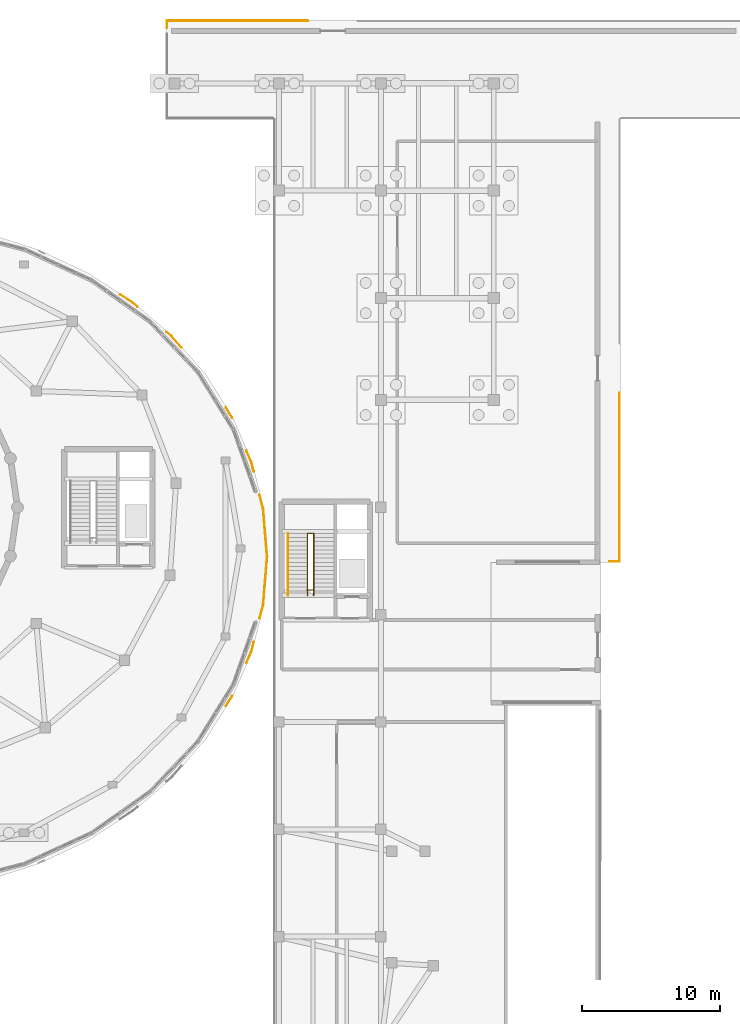
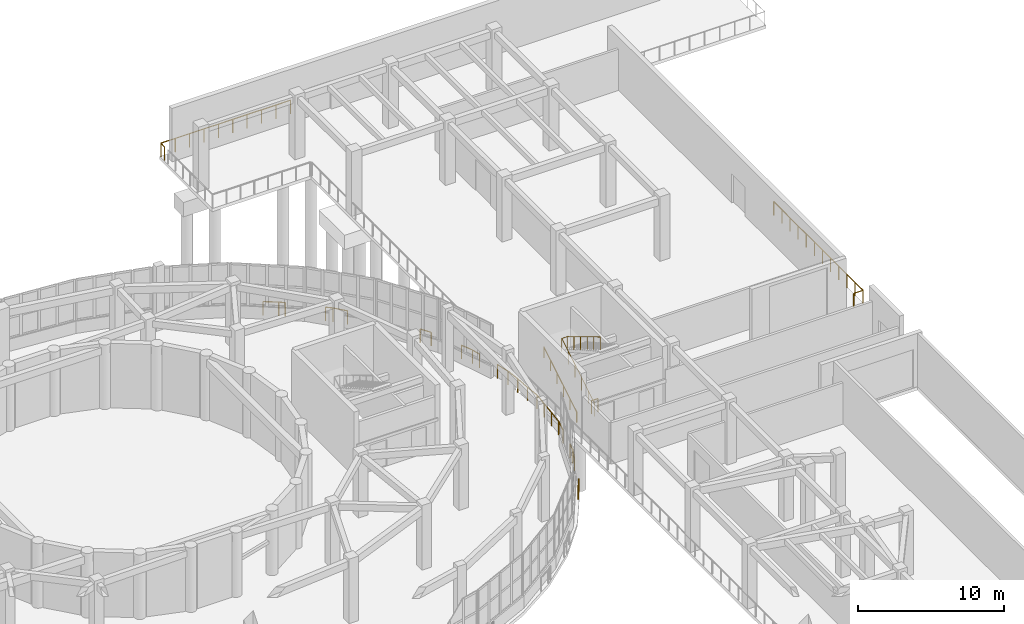
# One storey, part 94 of 96: 12 railings.
"""IFC4 building model written with IfcOpenShell, lengths in metres."""

from ifc_helpers import new_model, si_unit, direction, frame, origin, origin_2d, place, context, subcontext, project, spatial, circle, extrude, material, type_object, element, save


model = new_model("IFC4")

# Units and contexts
model_context = context("Model", 3, precision=1e-05, world=origin(), true_north=direction((0.0, 1.0)))
body_context = subcontext(model_context, "Body", "Model", "MODEL_VIEW")
ifc_project = project(units=[si_unit("LENGTHUNIT", "METRE"), si_unit("AREAUNIT", "SQUARE_METRE"), si_unit("VOLUMEUNIT", "CUBIC_METRE"), si_unit("PLANEANGLEUNIT", "RADIAN"), si_unit("MASSUNIT", "GRAM", prefix="KILO")], contexts=[model_context])

# Site, building, storey
site_placement = place(None, origin())
site = spatial("IfcSite", under=ifc_project, at=site_placement, CompositionType="ELEMENT")
building_placement = place(site_placement, origin())
building = spatial("IfcBuilding", under=site, at=building_placement, Name="Pelvatis Terrace Science Centre", CompositionType="ELEMENT")
storey_placement = place(building_placement, origin())
storey = spatial("IfcBuildingStorey", under=building, at=storey_placement, Name="L00", CompositionType="ELEMENT", Elevation=0.0)

# Railings
ifc_material_1 = material(Name="Bronze-anodised aluminium and laminated safety glass balustrade", Category="aluminium")
railing_type_1 = type_object("IfcRailingType", Name="RLG-BAL-1150", PredefinedType="BALUSTRADE", material=ifc_material_1)
railing_1_placement = place(storey_placement, frame((132.659912109375, 120.62890625, 0.0)))
element("IfcRailing", 1, at=railing_1_placement, inside=storey, type_object=railing_type_1, Name="Perimeter edge balustrade RLG-EDG-L00-004", PredefinedType="BALUSTRADE", context=body_context, shape_type="SweptSolid", body=[
    extrude(circle(Radius=0.02392578125, at=origin_2d()), frame((0.0, 0.0, 1.1259765625), z_axis=(0.0, 1.0, 0.0), x_axis=(-1.0, 0.0, 0.0)), (0.0, 0.0, 1.0), 0.510986328125),
    extrude(circle(Radius=0.02392578125, at=origin_2d()), frame((0.0, 0.510986328125, 1.1259765625), z_axis=(1.0, 0.0, 0.0), x_axis=(0.0, 1.0, 0.0)), (0.0, 0.0, 1.0), 10.239990234375),
    extrude(circle(Radius=0.02099609375, at=origin_2d()), origin(), (0.0, 0.0, 1.0), 1.101806640625),
    extrude(circle(Radius=0.02099609375, at=origin_2d()), frame((0.0, 0.510986328125, 0.0)), (0.0, 0.0, 1.0), 1.101806640625),
    extrude(circle(Radius=0.02099609375, at=origin_2d()), frame((1.1376953125, 0.510986328125, 0.0)), (0.0, 0.0, 1.0), 1.101806640625),
    extrude(circle(Radius=0.02099609375, at=origin_2d()), frame((2.275634765625, 0.510986328125, 0.0)), (0.0, 0.0, 1.0), 1.101806640625),
    extrude(circle(Radius=0.02099609375, at=origin_2d()), frame((3.413330078125, 0.510986328125, 0.0)), (0.0, 0.0, 1.0), 1.101806640625),
    extrude(circle(Radius=0.02099609375, at=origin_2d()), frame((4.551025390625, 0.510986328125, 0.0)), (0.0, 0.0, 1.0), 1.101806640625),
    extrude(circle(Radius=0.02099609375, at=origin_2d()), frame((5.68896484375, 0.510986328125, 0.0)), (0.0, 0.0, 1.0), 1.101806640625),
    extrude(circle(Radius=0.02099609375, at=origin_2d()), frame((6.82666015625, 0.510986328125, 0.0)), (0.0, 0.0, 1.0), 1.101806640625),
    extrude(circle(Radius=0.02099609375, at=origin_2d()), frame((7.96435546875, 0.510986328125, 0.0)), (0.0, 0.0, 1.0), 1.101806640625),
    extrude(circle(Radius=0.02099609375, at=origin_2d()), frame((9.102294921875, 0.510986328125, 0.0)), (0.0, 0.0, 1.0), 1.101806640625),
    extrude(circle(Radius=0.02099609375, at=origin_2d()), frame((10.239990234375, 0.510986328125, 0.0)), (0.0, 0.0, 1.0), 1.101806640625),
])
railing_2_placement = place(storey_placement, frame((165.5400390625, 94.10009765625, 0.0)))
element("IfcRailing", 2, at=railing_2_placement, inside=storey, type_object=railing_type_1, Name="Perimeter edge balustrade RLG-EDG-L00-006", PredefinedType="BALUSTRADE", context=body_context, shape_type="SweptSolid", body=[
    extrude(circle(Radius=0.02392578125, at=origin_2d()), frame((0.0, 0.0, 1.1259765625), z_axis=(0.0, -1.0, 0.0), x_axis=(1.0, 0.0, 0.0)), (0.0, 0.0, 1.0), 12.239990234375),
    extrude(circle(Radius=0.02392578125, at=origin_2d()), frame((0.0, -12.239990234375, 1.1259765625), z_axis=(-1.0, 0.0, 0.0), x_axis=(0.0, -1.0, 0.0)), (0.0, 0.0, 1.0), 0.739990234375),
    extrude(circle(Radius=0.02099609375, at=origin_2d()), origin(), (0.0, 0.0, 1.0), 1.101806640625),
    extrude(circle(Radius=0.02099609375, at=origin_2d()), frame((0.0, -1.11279296875, 0.0)), (0.0, 0.0, 1.0), 1.101806640625),
    extrude(circle(Radius=0.02099609375, at=origin_2d()), frame((0.0, -2.225341796875, 0.0)), (0.0, 0.0, 1.0), 1.101806640625),
    extrude(circle(Radius=0.02099609375, at=origin_2d()), frame((0.0, -3.338134765625, 0.0)), (0.0, 0.0, 1.0), 1.101806640625),
    extrude(circle(Radius=0.02099609375, at=origin_2d()), frame((0.0, -4.450927734375, 0.0)), (0.0, 0.0, 1.0), 1.101806640625),
    extrude(circle(Radius=0.02099609375, at=origin_2d()), frame((0.0, -5.563720703125, 0.0)), (0.0, 0.0, 1.0), 1.101806640625),
    extrude(circle(Radius=0.02099609375, at=origin_2d()), frame((0.0, -6.67626953125, 0.0)), (0.0, 0.0, 1.0), 1.101806640625),
    extrude(circle(Radius=0.02099609375, at=origin_2d()), frame((0.0, -7.7890625, 0.0)), (0.0, 0.0, 1.0), 1.101806640625),
    extrude(circle(Radius=0.02099609375, at=origin_2d()), frame((0.0, -8.90185546875, 0.0)), (0.0, 0.0, 1.0), 1.101806640625),
    extrude(circle(Radius=0.02099609375, at=origin_2d()), frame((0.0, -10.0146484375, 0.0)), (0.0, 0.0, 1.0), 1.101806640625),
    extrude(circle(Radius=0.02099609375, at=origin_2d()), frame((0.0, -11.127197265625, 0.0)), (0.0, 0.0, 1.0), 1.101806640625),
    extrude(circle(Radius=0.02099609375, at=origin_2d()), frame((0.0, -12.239990234375, 0.0)), (0.0, 0.0, 1.0), 1.101806640625),
    extrude(circle(Radius=0.02099609375, at=origin_2d()), frame((-0.739990234375, -12.239990234375, 0.0)), (0.0, 0.0, 1.0), 1.101806640625),
])
railing_3_placement = place(storey_placement, frame((129.26708984375, 101.24560546875, 0.0)))
element("IfcRailing", 3, at=railing_3_placement, inside=storey, type_object=railing_type_1, Name="Perimeter edge balustrade RLG-EDG-L00-035", PredefinedType="BALUSTRADE", context=body_context, shape_type="SweptSolid", body=[
    extrude(circle(Radius=0.02392578125, at=origin_2d()), frame((0.0, 0.0, 1.1259765625), z_axis=(0.840104645758, -0.542424358022, 0.0), x_axis=(0.542424358022, 0.840104645758, 0.0)), (0.0, 0.0, 1.0), 1.0654296875),
    extrude(circle(Radius=0.02392578125, at=origin_2d()), frame((0.89501953125, -0.577880859375, 1.1259765625), z_axis=(0.757192749745, -0.653191503109, 0.0), x_axis=(0.653191503109, 0.757192749745, 0.0)), (0.0, 0.0, 1.0), 0.460205078125),
    extrude(circle(Radius=0.02099609375, at=origin_2d()), origin(), (0.0, 0.0, 1.0), 1.101806640625),
    extrude(circle(Radius=0.02099609375, at=origin_2d()), frame((0.89501953125, -0.577880859375, 0.0)), (0.0, 0.0, 1.0), 1.101806640625),
    extrude(circle(Radius=0.02099609375, at=origin_2d()), frame((1.243408203125, -0.87841796875, 0.0)), (0.0, 0.0, 1.0), 1.101806640625),
])
railing_4_placement = place(storey_placement, frame((132.63916015625, 98.53076171875, 0.0)))
element("IfcRailing", 4, at=railing_4_placement, inside=storey, type_object=railing_type_1, Name="Perimeter edge balustrade RLG-EDG-L00-036", PredefinedType="BALUSTRADE", context=body_context, shape_type="SweptSolid", body=[
    extrude(circle(Radius=0.02392578125, at=origin_2d()), frame((0.0, 0.0, 1.1259765625), z_axis=(0.757029890832, -0.65338024487, 0.0), x_axis=(0.65338024487, 0.757029890832, 0.0)), (0.0, 0.0, 1.0), 0.504150390625),
    extrude(circle(Radius=0.02392578125, at=origin_2d()), frame((0.381591796875, -0.329345703125, 1.1259765625), z_axis=(0.655505366975, -0.755190514948, 0.0), x_axis=(0.755190514948, 0.655505366975, 0.0)), (0.0, 0.0, 1.0), 1.05078125),
    extrude(circle(Radius=0.02099609375, at=origin_2d()), origin(), (0.0, 0.0, 1.0), 1.101806640625),
    extrude(circle(Radius=0.02099609375, at=origin_2d()), frame((0.381591796875, -0.329345703125, 0.0)), (0.0, 0.0, 1.0), 1.101806640625),
    extrude(circle(Radius=0.02099609375, at=origin_2d()), frame((1.0703125, -1.122802734375, 0.0)), (0.0, 0.0, 1.0), 1.101806640625),
])
railing_5_placement = place(storey_placement, frame((136.947998046875, 93.032470703125, 0.0)))
element("IfcRailing", 5, at=railing_5_placement, inside=storey, type_object=railing_type_1, Name="Perimeter edge balustrade RLG-EDG-L00-037", PredefinedType="BALUSTRADE", context=body_context, shape_type="SweptSolid", body=[
    extrude(circle(Radius=0.02392578125, at=origin_2d()), frame((0.0, 0.0, 1.1259765625), z_axis=(0.527611448528, -0.849485820589, 0.0), x_axis=(0.849485820589, 0.527611448528, 0.0)), (0.0, 0.0, 1.0), 0.85546875),
    extrude(circle(Radius=0.02099609375, at=origin_2d()), origin(), (0.0, 0.0, 1.0), 1.101806640625),
    extrude(circle(Radius=0.02099609375, at=origin_2d()), frame((0.451416015625, -0.726806640625, 0.0)), (0.0, 0.0, 1.0), 1.101806640625),
])
railing_6_placement = place(storey_placement, frame((138.427001953125, 89.928955078125, 0.0)))
element("IfcRailing", 6, at=railing_6_placement, inside=storey, type_object=railing_type_1, Name="Perimeter edge balustrade RLG-EDG-L00-038", PredefinedType="BALUSTRADE", context=body_context, shape_type="SweptSolid", body=[
    extrude(circle(Radius=0.02392578125, at=origin_2d()), frame((0.0, 0.0, 1.1259765625), z_axis=(0.396603480985, -0.917990021117, 0.0), x_axis=(0.917990021117, 0.396603480985, 0.0)), (0.0, 0.0, 1.0), 0.921630859375),
    extrude(circle(Radius=0.02392578125, at=origin_2d()), frame((0.365478515625, -0.845947265625, 1.1259765625), z_axis=(0.244513317221, -0.969645934195, 0.0), x_axis=(0.969645934195, 0.244513317221, 0.0)), (0.0, 0.0, 1.0), 0.697021484375),
    extrude(circle(Radius=0.02099609375, at=origin_2d()), origin(), (0.0, 0.0, 1.0), 1.101806640625),
    extrude(circle(Radius=0.02099609375, at=origin_2d()), frame((0.365478515625, -0.845947265625, 0.0)), (0.0, 0.0, 1.0), 1.101806640625),
    extrude(circle(Radius=0.02099609375, at=origin_2d()), frame((0.535888671875, -1.521728515625, 0.0)), (0.0, 0.0, 1.0), 1.101806640625),
])
railing_7_placement = place(storey_placement, frame((139.39501953125, 86.6943359375, 0.0)))
element("IfcRailing", 7, at=railing_7_placement, inside=storey, type_object=railing_type_1, Name="Perimeter edge balustrade RLG-EDG-L00-039", PredefinedType="BALUSTRADE", context=body_context, shape_type="SweptSolid", body=[
    extrude(circle(Radius=0.02392578125, at=origin_2d()), frame((0.0, 0.0, 1.1259765625), z_axis=(0.244505731126, -0.969647847131, 0.0), x_axis=(0.969647847131, 0.244505731126, 0.0)), (0.0, 0.0, 1.0), 1.04931640625),
    extrude(circle(Radius=0.02392578125, at=origin_2d()), frame((0.256591796875, -1.017578125, 1.1259765625), z_axis=(0.082576363549, -0.996584740091, 0.0), x_axis=(0.996584740091, 0.082576363549, 0.0)), (0.0, 0.0, 1.0), 3.48876953125),
    extrude(circle(Radius=0.02392578125, at=origin_2d()), frame((0.544677734375, -4.494384765625, 1.1259765625), z_axis=(-0.082576363549, -0.996584740091, 0.0), x_axis=(0.996584740091, -0.082576363549, 0.0)), (0.0, 0.0, 1.0), 3.48876953125),
    extrude(circle(Radius=0.02392578125, at=origin_2d()), frame((0.256591796875, -7.97119140625, 1.1259765625), z_axis=(-0.244505731126, -0.969647847131, 0.0), x_axis=(0.969647847131, -0.244505731126, 0.0)), (0.0, 0.0, 1.0), 1.04931640625),
    extrude(circle(Radius=0.02099609375, at=origin_2d()), origin(), (0.0, 0.0, 1.0), 1.101806640625),
    extrude(circle(Radius=0.02099609375, at=origin_2d()), frame((0.256591796875, -1.017578125, 0.0)), (0.0, 0.0, 1.0), 1.101806640625),
    extrude(circle(Radius=0.02099609375, at=origin_2d()), frame((0.3525390625, -2.176513671875, 0.0)), (0.0, 0.0, 1.0), 1.101806640625),
    extrude(circle(Radius=0.02099609375, at=origin_2d()), frame((0.44873046875, -3.33544921875, 0.0)), (0.0, 0.0, 1.0), 1.101806640625),
    extrude(circle(Radius=0.02099609375, at=origin_2d()), frame((0.544677734375, -4.494384765625, 0.0)), (0.0, 0.0, 1.0), 1.101806640625),
    extrude(circle(Radius=0.02099609375, at=origin_2d()), frame((0.44873046875, -5.6533203125, 0.0)), (0.0, 0.0, 1.0), 1.101806640625),
    extrude(circle(Radius=0.02099609375, at=origin_2d()), frame((0.3525390625, -6.812255859375, 0.0)), (0.0, 0.0, 1.0), 1.101806640625),
    extrude(circle(Radius=0.02099609375, at=origin_2d()), frame((0.256591796875, -7.97119140625, 0.0)), (0.0, 0.0, 1.0), 1.101806640625),
    extrude(circle(Radius=0.02099609375, at=origin_2d()), frame((0.0, -8.98876953125, 0.0)), (0.0, 0.0, 1.0), 1.101806640625),
])
railing_8_placement = place(storey_placement, frame((138.962890625, 75.992919921875, 0.0)))
element("IfcRailing", 8, at=railing_8_placement, inside=storey, type_object=railing_type_1, Name="Perimeter edge balustrade RLG-EDG-L00-040", PredefinedType="BALUSTRADE", context=body_context, shape_type="SweptSolid", body=[
    extrude(circle(Radius=0.02392578125, at=origin_2d()), frame((0.0, 0.0, 1.1259765625), z_axis=(-0.244430290099, -0.969666867167, 0.0), x_axis=(0.969666867167, -0.244430290099, 0.0)), (0.0, 0.0, 1.0), 0.697265625),
    extrude(circle(Radius=0.02392578125, at=origin_2d()), frame((-0.17041015625, -0.676025390625, 1.1259765625), z_axis=(-0.396603480985, -0.917990021117, 0.0), x_axis=(0.917990021117, -0.396603480985, 0.0)), (0.0, 0.0, 1.0), 0.921630859375),
    extrude(circle(Radius=0.02099609375, at=origin_2d()), origin(), (0.0, 0.0, 1.0), 1.101806640625),
    extrude(circle(Radius=0.02099609375, at=origin_2d()), frame((-0.17041015625, -0.676025390625, 0.0)), (0.0, 0.0, 1.0), 1.101806640625),
    extrude(circle(Radius=0.02099609375, at=origin_2d()), frame((-0.535888671875, -1.52197265625, 0.0)), (0.0, 0.0, 1.0), 1.101806640625),
])
railing_9_placement = place(storey_placement, frame((137.3994140625, 72.09423828125, 0.0)))
element("IfcRailing", 9, at=railing_9_placement, inside=storey, type_object=railing_type_1, Name="Perimeter edge balustrade RLG-EDG-L00-041", PredefinedType="BALUSTRADE", context=body_context, shape_type="SweptSolid", body=[
    extrude(circle(Radius=0.02392578125, at=origin_2d()), frame((0.0, 0.0, 1.1259765625), z_axis=(-0.527739366809, -0.849406357829, 0.0), x_axis=(0.849406357829, -0.527739366809, 0.0)), (0.0, 0.0, 1.0), 0.85546875),
    extrude(circle(Radius=0.02099609375, at=origin_2d()), origin(), (0.0, 0.0, 1.0), 1.101806640625),
    extrude(circle(Radius=0.02099609375, at=origin_2d()), frame((-0.451416015625, -0.7265625, 0.0)), (0.0, 0.0, 1.0), 1.101806640625),
])
ifc_material_2 = material(Name="Brushed architectural bronze tubular railing", Category="steel")
railing_type_2 = type_object("IfcRailingType", Name="RLG-GRD-1120", PredefinedType="GUARDRAIL", material=ifc_material_2)
railing_10_placement = place(storey_placement, frame((142.8798828125, 79.39990234375, 0.0)))
element("IfcRailing", 10, at=railing_10_placement, inside=storey, type_object=railing_type_2, Name="Stair ST-03-L00 inner well guardrail", PredefinedType="GUARDRAIL", context=body_context, shape_type="SweptSolid", body=[
    extrude(circle(Radius=0.02392578125, at=origin_2d()), frame((0.0, 0.0, 1.09619140625), z_axis=(0.0, 0.857497030584, 0.514488913912), x_axis=(-1.0, 0.0, 0.0)), (0.0, 0.0, 1.0), 5.247802734375),
    extrude(circle(Radius=0.02392578125, at=origin_2d()), frame((0.0, 4.5, 3.7958984375), z_axis=(1.0, 0.0, 0.0), x_axis=(0.0, 1.0, 0.0)), (0.0, 0.0, 1.0), 0.440185546875),
    extrude(circle(Radius=0.02392578125, at=origin_2d()), frame((0.440185546875, 4.5, 3.7958984375), z_axis=(0.0, -0.857497030584, 0.514488913912), x_axis=(1.0, 0.0, 0.0)), (0.0, 0.0, 1.0), 5.247802734375),
    extrude(circle(Radius=0.02099609375, at=origin_2d()), origin(), (0.0, 0.0, 1.0), 1.072021484375),
    extrude(circle(Radius=0.02099609375, at=origin_2d()), frame((0.0, 0.89990234375, 0.5400390625)), (0.0, 0.0, 1.0), 1.072021484375),
    extrude(circle(Radius=0.02099609375, at=origin_2d()), frame((0.0, 1.800048828125, 1.080078125)), (0.0, 0.0, 1.0), 1.072021484375),
    extrude(circle(Radius=0.02099609375, at=origin_2d()), frame((0.0, 2.699951171875, 1.619873046875)), (0.0, 0.0, 1.0), 1.072021484375),
    extrude(circle(Radius=0.02099609375, at=origin_2d()), frame((0.0, 3.60009765625, 2.159912109375)), (0.0, 0.0, 1.0), 1.072021484375),
    extrude(circle(Radius=0.02099609375, at=origin_2d()), frame((0.0, 4.5, 2.699951171875)), (0.0, 0.0, 1.0), 1.072021484375),
    extrude(circle(Radius=0.02099609375, at=origin_2d()), frame((0.440185546875, 4.5, 2.699951171875)), (0.0, 0.0, 1.0), 1.072021484375),
    extrude(circle(Radius=0.02099609375, at=origin_2d()), frame((0.440185546875, 3.60009765625, 3.239990234375)), (0.0, 0.0, 1.0), 1.072021484375),
    extrude(circle(Radius=0.02099609375, at=origin_2d()), frame((0.440185546875, 2.699951171875, 3.780029296875)), (0.0, 0.0, 1.0), 1.072021484375),
    extrude(circle(Radius=0.02099609375, at=origin_2d()), frame((0.440185546875, 1.800048828125, 4.31982421875)), (0.0, 0.0, 1.0), 1.072021484375),
    extrude(circle(Radius=0.02099609375, at=origin_2d()), frame((0.440185546875, 0.89990234375, 4.85986328125)), (0.0, 0.0, 1.0), 1.072021484375),
    extrude(circle(Radius=0.02099609375, at=origin_2d()), frame((0.440185546875, 0.0, 5.39990234375)), (0.0, 0.0, 1.0), 1.072021484375),
])
railing_11_placement = place(storey_placement, frame((142.85009765625, 79.780029296875, 0.0)))
element("IfcRailing", 11, at=railing_11_placement, inside=storey, type_object=railing_type_2, Name="Core C3 landing well slot guard (L00)", PredefinedType="GUARDRAIL", context=body_context, shape_type="SweptSolid", body=[
    extrude(circle(Radius=0.02392578125, at=origin_2d()), frame((0.0, 0.0, 1.09619140625), z_axis=(1.0, 0.0, 0.0), x_axis=(0.0, 1.0, 0.0)), (0.0, 0.0, 1.0), 0.5),
    extrude(circle(Radius=0.02099609375, at=origin_2d()), origin(), (0.0, 0.0, 1.0), 1.072021484375),
    extrude(circle(Radius=0.02099609375, at=origin_2d()), frame((0.5, 0.0, 0.0)), (0.0, 0.0, 1.0), 1.072021484375),
])
ifc_material_3 = material(Name="Brushed architectural bronze tubular railing", Category="steel")
railing_type_3 = type_object("IfcRailingType", Name="RLG-HND-0900", PredefinedType="HANDRAIL", material=ifc_material_3)
railing_12_placement = place(storey_placement, frame((141.4599609375, 79.39990234375, 0.0)))
element("IfcRailing", 12, at=railing_12_placement, inside=storey, type_object=railing_type_3, Name="Stair ST-03-L00 wall handrail", PredefinedType="HANDRAIL", context=body_context, shape_type="SweptSolid", body=[
    extrude(circle(Radius=0.02392578125, at=origin_2d()), frame((0.0, 0.0, 0.8759765625), z_axis=(0.0, 0.857497030584, 0.514488913912), x_axis=(-1.0, 0.0, 0.0)), (0.0, 0.0, 1.0), 5.247802734375),
    extrude(circle(Radius=0.02099609375, at=origin_2d()), origin(), (0.0, 0.0, 1.0), 0.851806640625),
    extrude(circle(Radius=0.02099609375, at=origin_2d()), frame((0.0, 0.89990234375, 0.5400390625)), (0.0, 0.0, 1.0), 0.851806640625),
    extrude(circle(Radius=0.02099609375, at=origin_2d()), frame((0.0, 1.800048828125, 1.080078125)), (0.0, 0.0, 1.0), 0.851806640625),
    extrude(circle(Radius=0.02099609375, at=origin_2d()), frame((0.0, 2.699951171875, 1.619873046875)), (0.0, 0.0, 1.0), 0.851806640625),
    extrude(circle(Radius=0.02099609375, at=origin_2d()), frame((0.0, 3.60009765625, 2.159912109375)), (0.0, 0.0, 1.0), 0.851806640625),
    extrude(circle(Radius=0.02099609375, at=origin_2d()), frame((0.0, 4.5, 2.699951171875)), (0.0, 0.0, 1.0), 0.851806640625),
])

save(model, "model.ifc")
